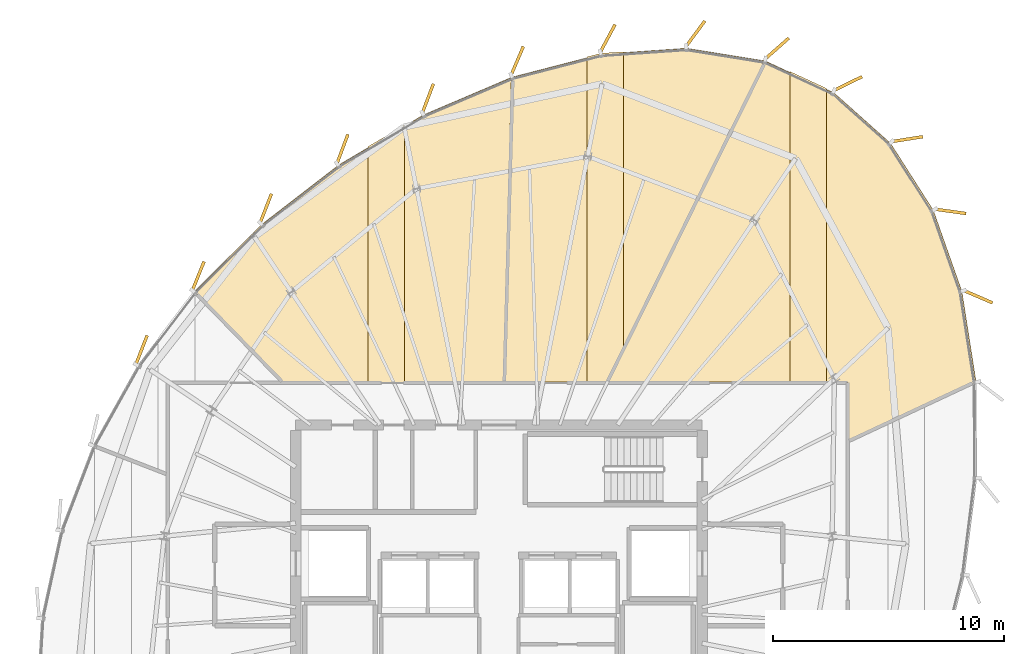
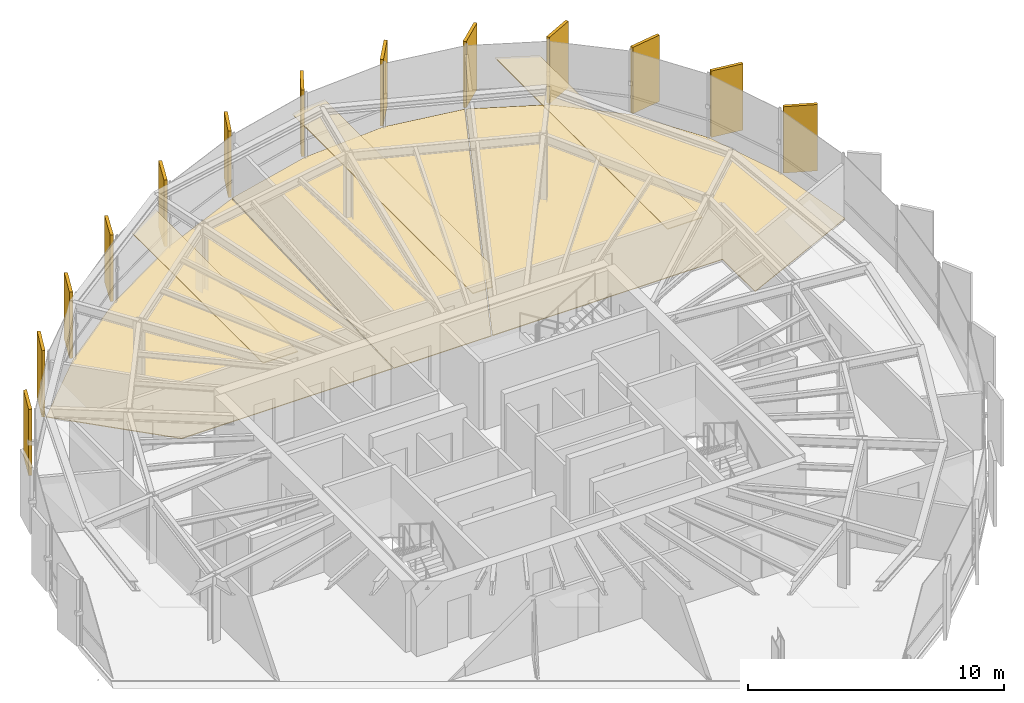
# One storey, part 34 of 34: 19 coverings.
"""IFC4 building model written with IfcOpenShell, lengths in metres."""

from ifc_helpers import new_model, si_unit, direction, frame, origin, origin_2d, place, context, subcontext, project, spatial, polyline, rectangle, outline, extrude, source, transform, mapped, material, layer, layer_set, type_object, element, save


model = new_model("IFC4")

# Units and contexts
model_context = context("Model", 3, precision=1e-05, world=origin(), true_north=direction((0.0, 1.0)))
body_context = subcontext(model_context, "Body", "Model", "MODEL_VIEW")
ifc_project = project(units=[si_unit("LENGTHUNIT", "METRE"), si_unit("AREAUNIT", "SQUARE_METRE"), si_unit("VOLUMEUNIT", "CUBIC_METRE"), si_unit("PLANEANGLEUNIT", "RADIAN"), si_unit("MASSUNIT", "GRAM", prefix="KILO"), si_unit("THERMODYNAMICTEMPERATUREUNIT", "KELVIN")], contexts=[model_context])

# Site, building, storey
site_placement = place(None, origin())
site = spatial("IfcSite", under=ifc_project, at=site_placement, CompositionType="ELEMENT")
building_placement = place(site_placement, origin())
building = spatial("IfcBuilding", under=site, at=building_placement, Name="Kethvar Cultural Tower", CompositionType="ELEMENT")
storey_placement = place(building_placement, frame((0.0, 0.0, 262.89990234375)))
storey = spatial("IfcBuildingStorey", under=building, at=storey_placement, Name="L69", CompositionType="ELEMENT", Elevation=262.89990234375)

# Coverings
ifc_material_1 = material(Name="Acoustic Mineral Fibre Ceiling")
ifc_layer_1 = layer(ifc_material_1, 0.0400390625, Name="Acoustic Mineral Fibre Ceiling")
ifc_layer_set_1 = layer_set([ifc_layer_1], Name="Acoustic Mineral Fibre Ceiling (40 mm)")
covering_type_1 = type_object("IfcCoveringType", Name="CV-ACOUSTIC-CEIL", PredefinedType="CEILING", material=ifc_layer_set_1)
covering_1_placement = place(storey_placement, frame((0.0, 0.0, 2.340087890625)))
element("IfcCovering", 1, at=covering_1_placement, inside=storey, type_object=covering_type_1, Name="L69 Room 06 Acoustic Ceiling Panel", PredefinedType="CEILING", context=body_context, shape_type="SweptSolid", body=[
    extrude(outline(polyline([(59.4033203125, 37.31103515625), (59.4033203125, 50.808349609375), (60.993408203125, 50.071533203125), (60.993408203125, 37.31103515625), (59.4033203125, 37.31103515625)])), origin(), (0.0, 0.0, 1.0), 0.0400390625),
])
covering_2_placement = place(storey_placement, frame((0.0, 0.0, 2.340087890625)))
element("IfcCovering", 2, at=covering_2_placement, inside=storey, type_object=covering_type_1, Name="L69 Room 07 Acoustic Ceiling Panel", PredefinedType="CEILING", context=body_context, shape_type="SweptSolid", body=[
    extrude(outline(polyline([(51.21142578125, 51.593017578125), (52.201416015625, 51.661865234375), (52.201416015625, 38.750732421875), (51.49462890625, 37.31591796875), (50.611328125, 37.31103515625), (50.611328125, 51.43798828125), (51.21142578125, 51.593017578125)])), origin(), (0.0, 0.0, 1.0), 0.0400390625),
])
covering_3_placement = place(storey_placement, frame((0.0, 0.0, 2.340087890625)))
element("IfcCovering", 3, at=covering_3_placement, inside=storey, type_object=covering_type_1, Name="L69 Room 08 Acoustic Ceiling Panel", PredefinedType="CEILING", context=body_context, shape_type="SweptSolid", body=[
    extrude(outline(polyline([(42.71630859375, 48.487548828125), (42.71630859375, 37.31103515625), (41.126220703125, 37.31103515625), (41.126220703125, 47.548095703125), (42.71630859375, 48.487548828125)])), origin(), (0.0, 0.0, 1.0), 0.0400390625),
])
ifc_material_2 = material(Name="Honed Warm Limestone", Category="masonry")
ifc_layer_2 = layer(ifc_material_2, 0.030029296875, Name="Honed Warm Limestone", Category="masonry")
ifc_layer_set_2 = layer_set([ifc_layer_2], Name="Honed Warm Limestone (30 mm)")
covering_type_2 = type_object("IfcCoveringType", Name="CV-STONE-FLOOR", PredefinedType="FLOORING", material=ifc_layer_set_2)
covering_4_placement = place(storey_placement, origin())
element("IfcCovering", 4, at=covering_4_placement, inside=storey, type_object=covering_type_2, Name="L69 Room 06 Floor Finish", PredefinedType="FLOORING", context=body_context, shape_type="SweptSolid", body=[
    extrude(outline(polyline([(65.6103515625, 44.7900390625), (66.84521484375, 41.2880859375), (67.458984375, 37.37353515625), (61.922119140625, 34.813720703125), (61.906005859375, 37.3505859375), (51.513916015625, 37.35107421875), (58.34375, 51.25537109375), (61.3056640625, 49.8828125), (63.754150390625, 47.698486328125), (65.6103515625, 44.7900390625)])), origin(), (0.0, 0.0, 1.0), 0.030029296875),
])
covering_5_placement = place(storey_placement, origin())
element("IfcCovering", 5, at=covering_5_placement, inside=storey, type_object=covering_type_2, Name="L69 Room 07 Floor Finish", PredefinedType="FLOORING", context=body_context, shape_type="SweptSolid", body=[
    extrude(outline(polyline([(51.2177734375, 51.553466796875), (54.92236328125, 51.810791015625), (58.304443359375, 51.266357421875), (51.46923828125, 37.35107421875), (47.0556640625, 37.35107421875), (47.381591796875, 50.56201171875), (51.2177734375, 51.553466796875)])), origin(), (0.0, 0.0, 1.0), 0.030029296875),
])
covering_6_placement = place(storey_placement, origin())
element("IfcCovering", 6, at=covering_6_placement, inside=storey, type_object=covering_type_2, Name="L69 Room 08 Floor Finish", PredefinedType="FLOORING", context=body_context, shape_type="SweptSolid", body=[
    extrude(outline(polyline([(36.53125, 44.180419921875), (39.87744140625, 46.763671875), (43.535888671875, 48.92529296875), (47.341064453125, 50.547119140625), (47.015625, 37.35107421875), (37.46630859375, 37.35107421875), (33.618408203125, 41.276611328125), (36.53125, 44.180419921875)])), origin(), (0.0, 0.0, 1.0), 0.030029296875),
])
ifc_material_3 = material(Name="Extruded Architectural Terracotta", Category="masonry")
ifc_layer_3 = layer(ifc_material_3, 0.135009765625, Name="Extruded Architectural Terracotta", Category="masonry")
ifc_layer_set_3 = layer_set([ifc_layer_3], Name="Extruded Architectural Terracotta (135 mm)")
covering_type_3 = type_object("IfcCoveringType", Name="Terracotta Facade Fin FIN-03", PredefinedType="CLADDING", material=ifc_layer_set_3)
shared_shape = source(origin(), body_context, "Body", "SweptSolid", [
    extrude(rectangle(XDim=1.35009765625, YDim=0.135009765625, at=origin_2d()), origin(), (0.0, 0.0, 1.0), 3.169921875),
])
for number, where, z_axis, x_axis, name in (
    (7, (61.923095703125, 50.285888671875, 0.02001953125), (0.0, 0.0, 1.0), (0.896795533934, 0.442445217305, 0.0), "L69 Vertical Terracotta Fin 1.1"),
    (8, (58.851806640625, 51.808837890625, 0.02001953125), (0.0, 0.0, 1.0), (0.747798090499, 0.663926212652, 0.0), "L69 Vertical Terracotta Fin 1.2"),
    (9, (55.31884765625, 52.45361328125, 0.02001953125), (0.0, 0.0, 1.0), (0.59454215154, 0.804064443961, 0.0), "L69 Vertical Terracotta Fin 1.3"),
    (10, (51.513427734375, 52.24560546875, 0.02001953125), (0.0, 0.0, 1.0), (0.472550764869, 0.881303452065, 0.0), "L69 Vertical Terracotta Fin 1.4"),
    (11, (47.595703125, 51.27197265625, 0.02001953125), (0.0, 0.0, 1.0), (0.392979177488, 0.919547370211, 0.0), "L69 Vertical Terracotta Fin 1.5"),
    (12, (43.7255859375, 49.64306640625, 0.02001953125), (0.0, 0.0, 1.0), (0.354617440174, 0.935011481814, 0.0), "L69 Vertical Terracotta Fin 1.6"),
    (13, (40.025634765625, 47.453857421875, 0.02001953125), (0.0, 0.0, 1.0), (0.350697773643, 0.936488692704, 0.0), "L69 Vertical Terracotta Fin 2.1"),
    (14, (36.706787109375, 44.881103515625, 0.02001953125), (0.0, 0.0, 1.0), (0.363251230473, 0.931691227586, 0.0), "L69 Vertical Terracotta Fin 2.2"),
    (15, (33.780029296875, 41.950927734375, 0.02001953125), (0.0, 0.0, 1.0), (0.375577332499, 0.926791059146, 0.0), "L69 Vertical Terracotta Fin 2.3"),
    (16, (31.32421875, 38.74853515625, 0.02001953125), (0.0, 0.0, 1.0), (0.361461843375, 0.932386902409, 0.0), "L69 Vertical Terracotta Fin 2.4"),
    (17, (67.560302734375, 41.052734375, 0.02001953125), (0.0, 0.0, 1.0), (0.918584396813, -0.395224880204, 0.0), "L69 Vertical Terracotta Fin 6.4"),
    (18, (66.364501953125, 44.748779296875, 0.02001953125), (0.0, 0.0, 1.0), (0.990461425697, -0.137790290685, 0.0), "L69 Vertical Terracotta Fin 6.5"),
    (19, (64.489501953125, 47.876953125, 0.02001953125), (0.0, 0.0, 1.0), (0.987661022587, 0.156606846792, 0.0), "L69 Vertical Terracotta Fin 6.6"),
):
    element("IfcCovering", number, at=place(storey_placement, frame(where, z_axis=z_axis, x_axis=x_axis)), inside=storey, type_object=covering_type_3, Name=name, PredefinedType="CLADDING", context=body_context, shape_type="MappedRepresentation", body=[
        mapped(shared_shape, transform((0.0, 0.0, 0.0), scale=1.0)),
    ])

save(model, "model.ifc")
